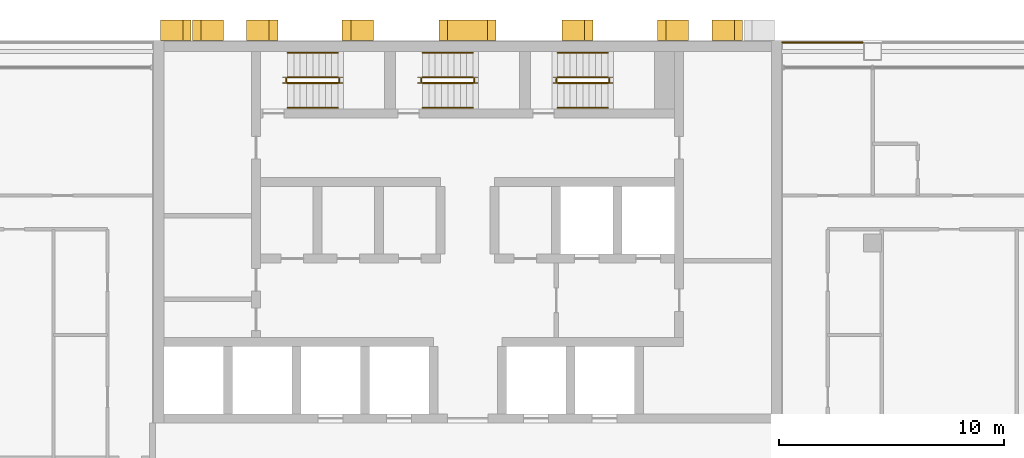
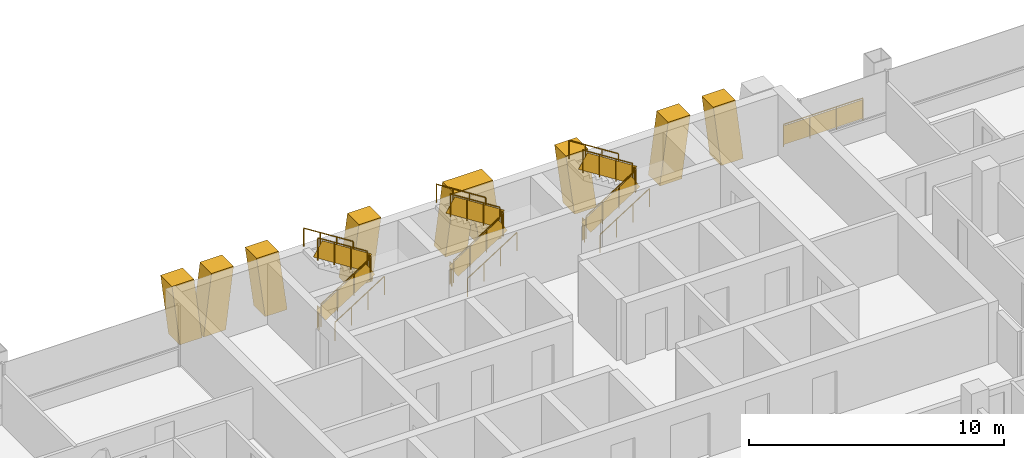
# One storey, part 15 of 16: 19 railings, 8 shading devices.
"""IFC4 building model written with IfcOpenShell, lengths in metres."""

from ifc_helpers import new_model, si_unit, direction, frame, origin, origin_2d, place, context, subcontext, project, spatial, polyline, rectangle, circle, outline, extrude, material, layer, layer_set, type_object, element, save


model = new_model("IFC4")

# Units and contexts
model_context = context("Model", 3, precision=1e-05, world=origin(), true_north=direction((0.0, 1.0)))
body_context = subcontext(model_context, "Body", "Model", "MODEL_VIEW")
ifc_project = project(units=[si_unit("LENGTHUNIT", "METRE"), si_unit("AREAUNIT", "SQUARE_METRE"), si_unit("VOLUMEUNIT", "CUBIC_METRE"), si_unit("PLANEANGLEUNIT", "RADIAN"), si_unit("MASSUNIT", "GRAM", prefix="KILO")], contexts=[model_context])

# Site, building, storey
site_placement = place(None, origin())
site = spatial("IfcSite", under=ifc_project, at=site_placement, CompositionType="ELEMENT")
building_placement = place(site_placement, origin())
building = spatial("IfcBuilding", under=site, at=building_placement, Name="Vidyagriha Tower", CompositionType="ELEMENT")
storey_placement = place(building_placement, frame((0.0, 0.0, 135.800048828125)))
storey = spatial("IfcBuildingStorey", under=building, at=storey_placement, Name="L35", CompositionType="ELEMENT", Elevation=135.800048828125)

# Shading devices
ifc_material_1 = material(Name="Precast concrete C40/50 with brick facing", Category="concrete")
ifc_layer_1 = layer(ifc_material_1, 1.0)
ifc_layer_set_1 = layer_set([ifc_layer_1], Name="Precast concrete C40/50 with brick facing")
shading_device_type_1 = type_object("IfcShadingDeviceType", Name="Brick-faced rear rib arm leaning 8 degrees", PredefinedType="USERDEFINED", material=ifc_layer_set_1)
shading_device_1_placement = place(storey_placement, frame((12.21435546875, 20.449951171875, 0.0), z_axis=(0.0, 0.0, 1.0), x_axis=(-1.0, 0.0, 0.0)))
element("IfcShadingDevice", 1, at=shading_device_1_placement, inside=storey, type_object=shading_device_type_1, Name="Rear rib arm L35 R08.1a", ObjectType="BLADE FIN", PredefinedType="USERDEFINED", context=body_context, shape_type="SweptSolid", body=[
    extrude(outline(polyline([(0.0, 0.0), (1.0, 0.0), (1.357177734375, 2.919921875), (0.357177734375, 2.919921875), (0.0, 0.0)])), frame((0.0, 0.449951171875, 0.0), z_axis=(0.0, -1.0, 0.0), x_axis=(1.0, 0.0, 0.0)), (0.0, 0.0, 1.0), 0.89990234375),
])
shading_device_2_placement = place(storey_placement, frame((5.5712890625, 20.449951171875, 0.0), z_axis=(0.0, 0.0, 1.0), x_axis=(-1.0, 0.0, 0.0)))
element("IfcShadingDevice", 2, at=shading_device_2_placement, inside=storey, type_object=shading_device_type_1, Name="Rear rib arm L35 R08.2a", ObjectType="BLADE FIN", PredefinedType="USERDEFINED", context=body_context, shape_type="SweptSolid", body=[
    extrude(outline(polyline([(0.0, 0.0), (1.0, 0.0), (1.3857421875, 2.919921875), (0.3857421875, 2.919921875), (0.0, 0.0)])), frame((0.0, 0.449951171875, 0.0), z_axis=(0.0, -1.0, 0.0), x_axis=(1.0, 0.0, 0.0)), (0.0, 0.0, 1.0), 0.89990234375),
])
shading_device_3_placement = place(storey_placement, frame((9.814208984375, 20.449951171875, 0.0), z_axis=(0.0, 0.0, 1.0), x_axis=(-1.0, 0.0, 0.0)))
element("IfcShadingDevice", 3, at=shading_device_3_placement, inside=storey, type_object=shading_device_type_1, Name="Rear rib arm L35 R08.2b", ObjectType="BLADE FIN", PredefinedType="USERDEFINED", context=body_context, shape_type="SweptSolid", body=[
    extrude(outline(polyline([(0.3857421875, 0.0), (1.3857421875, 0.0), (1.0, 2.919921875), (0.0, 2.919921875), (0.3857421875, 0.0)])), frame((0.0, 0.449951171875, 0.0), z_axis=(0.0, -1.0, 0.0), x_axis=(1.0, 0.0, 0.0)), (0.0, 0.0, 1.0), 0.89990234375),
])
shading_device_4_placement = place(storey_placement, frame((-8.4287109375, 20.449951171875, 0.0), z_axis=(0.0, 0.0, 1.0), x_axis=(-1.0, 0.0, 0.0)))
element("IfcShadingDevice", 4, at=shading_device_4_placement, inside=storey, type_object=shading_device_type_1, Name="Rear rib arm L35 R08.4a", ObjectType="BLADE FIN", PredefinedType="USERDEFINED", context=body_context, shape_type="SweptSolid", body=[
    extrude(outline(polyline([(0.0, 0.0), (1.0, 0.0), (1.3857421875, 2.919921875), (0.3857421875, 2.919921875), (0.0, 0.0)])), frame((0.0, 0.449951171875, 0.0), z_axis=(0.0, -1.0, 0.0), x_axis=(1.0, 0.0, 0.0)), (0.0, 0.0, 1.0), 0.89990234375),
])
shading_device_5_placement = place(storey_placement, frame((-4.185791015625, 20.449951171875, 0.0), z_axis=(0.0, 0.0, 1.0), x_axis=(-1.0, 0.0, 0.0)))
element("IfcShadingDevice", 5, at=shading_device_5_placement, inside=storey, type_object=shading_device_type_1, Name="Rear rib arm L35 R08.4b", ObjectType="BLADE FIN", PredefinedType="USERDEFINED", context=body_context, shape_type="SweptSolid", body=[
    extrude(outline(polyline([(0.3857421875, 0.0), (1.3857421875, 0.0), (1.0, 2.919921875), (0.0, 2.919921875), (0.3857421875, 0.0)])), frame((0.0, 0.449951171875, 0.0), z_axis=(0.0, -1.0, 0.0), x_axis=(1.0, 0.0, 0.0)), (0.0, 0.0, 1.0), 0.89990234375),
])
shading_device_6_placement = place(storey_placement, frame((-12.28564453125, 20.449951171875, 0.0), z_axis=(0.0, 0.0, 1.0), x_axis=(-1.0, 0.0, 0.0)))
element("IfcShadingDevice", 6, at=shading_device_6_placement, inside=storey, type_object=shading_device_type_1, Name="Rear rib arm L35 R08.5a", ObjectType="BLADE FIN", PredefinedType="USERDEFINED", context=body_context, shape_type="SweptSolid", body=[
    extrude(outline(polyline([(0.0, 0.0), (1.0, 0.0), (1.357177734375, 2.919921875), (0.357177734375, 2.919921875), (0.0, 0.0)])), frame((0.0, 0.449951171875, 0.0), z_axis=(0.0, -1.0, 0.0), x_axis=(1.0, 0.0, 0.0)), (0.0, 0.0, 1.0), 0.89990234375),
])
shading_device_7_placement = place(storey_placement, frame((-10.857177734375, 20.449951171875, 0.0), z_axis=(0.0, 0.0, 1.0), x_axis=(-1.0, 0.0, 0.0)))
element("IfcShadingDevice", 7, at=shading_device_7_placement, inside=storey, type_object=shading_device_type_1, Name="Rear rib arm L35 R08.5b", ObjectType="BLADE FIN", PredefinedType="USERDEFINED", context=body_context, shape_type="SweptSolid", body=[
    extrude(outline(polyline([(0.357177734375, 0.0), (1.357177734375, 0.0), (1.0, 2.919921875), (0.0, 2.919921875), (0.357177734375, 0.0)])), frame((0.0, 0.449951171875, 0.0), z_axis=(0.0, -1.0, 0.0), x_axis=(1.0, 0.0, 0.0)), (0.0, 0.0, 1.0), 0.89990234375),
])
ifc_material_2 = material(Name="Precast concrete C40/50 with brick facing", Category="concrete")
ifc_layer_2 = layer(ifc_material_2, 1.0)
ifc_layer_set_2 = layer_set([ifc_layer_2], Name="Precast concrete C40/50 with brick facing")
shading_device_type_2 = type_object("IfcShadingDeviceType", Name="Brick-faced rear rib forking 8 degrees", PredefinedType="USERDEFINED", material=ifc_layer_set_2)
shading_device_8_placement = place(storey_placement, frame((1.271484375, 20.449951171875, 0.0), z_axis=(0.0, 0.0, 1.0), x_axis=(-1.0, 0.0, 0.0)))
element("IfcShadingDevice", 8, at=shading_device_8_placement, inside=storey, type_object=shading_device_type_2, Name="Rear rib fork L35 R08.3a", ObjectType="BLADE FIN", PredefinedType="USERDEFINED", context=body_context, shape_type="SweptSolid", body=[
    extrude(outline(polyline([(1.0, 0.0), (1.271484375, 2.0546875), (1.542724609375, 0.0), (2.542724609375, 0.0), (2.156982421875, 2.919921875), (0.3857421875, 2.919921875), (0.0, 0.0), (1.0, 0.0)])), frame((0.0, 0.449951171875, 0.0), z_axis=(0.0, -1.0, 0.0), x_axis=(1.0, 0.0, 0.0)), (0.0, 0.0, 1.0), 0.89990234375),
])

# Railings
ifc_material_3 = material(Name="Steel ASTM A500 Grade C black painted", Category="steel")
railing_type_1 = type_object("IfcRailingType", Name="Gallery guard 1100", PredefinedType="GUARDRAIL", material=ifc_material_3)
railing_1_placement = place(storey_placement, frame((13.97998046875, 19.89990234375, 0.0)))
element("IfcRailing", 9, at=railing_1_placement, inside=storey, type_object=railing_type_1, Name="Gallery guard L35 9", PredefinedType="GUARDRAIL", context=body_context, shape_type="SweptSolid", body=[
    extrude(circle(Radius=0.02490234375, at=origin_2d()), frame((0.0, 0.0, 1.0751953125), z_axis=(1.0, 0.0, 0.0), x_axis=(0.0, 1.0, 0.0)), (0.0, 0.0, 1.0), 3.590087890625),
    extrude(circle(Radius=0.02001953125, at=origin_2d()), origin(), (0.0, 0.0, 1.0), 1.050048828125),
    extrude(circle(Radius=0.02001953125, at=origin_2d()), frame((1.19677734375, 0.0, 0.0)), (0.0, 0.0, 1.0), 1.050048828125),
    extrude(circle(Radius=0.02001953125, at=origin_2d()), frame((2.393310546875, 0.0, 0.0)), (0.0, 0.0, 1.0), 1.050048828125),
    extrude(circle(Radius=0.02001953125, at=origin_2d()), frame((3.590087890625, 0.0, 0.0)), (0.0, 0.0, 1.0), 1.050048828125),
    extrude(rectangle(XDim=0.010009765625, YDim=0.900146484375, at=origin_2d()), frame((0.0, 0.0, 0.550048828125), z_axis=(1.0, 0.0, 0.0), x_axis=(0.0, 1.0, 0.0)), (0.0, 0.0, 1.0), 3.590087890625),
])
ifc_material_4 = material(Name="Steel ASTM A500 Grade C", Category="steel")
railing_type_2 = type_object("IfcRailingType", Name="Stair guard 1100 mm, steel balustrade", PredefinedType="GUARDRAIL", material=ifc_material_4)
railing_2_placement = place(storey_placement, frame((-8.0, 18.10009765625, 0.177734375)))
element("IfcRailing", 10, at=railing_2_placement, inside=storey, type_object=railing_type_2, Name="L35 ST1 stair guard 1", PredefinedType="GUARDRAIL", context=body_context, shape_type="SweptSolid", body=[
    extrude(circle(Radius=0.02392578125, at=origin_2d()), frame((0.0, 0.0, 1.076171875), z_axis=(0.8442293374, 0.0, 0.53598211339), x_axis=(0.0, 1.0, 0.0)), (0.0, 0.0, 1.0), 2.6533203125),
    extrude(circle(Radius=0.02099609375, at=origin_2d()), origin(), (0.0, 0.0, 1.0), 1.052001953125),
    extrude(circle(Radius=0.02099609375, at=origin_2d()), frame((0.74658203125, 0.0, 0.47412109375)), (0.0, 0.0, 1.0), 1.052001953125),
    extrude(circle(Radius=0.02099609375, at=origin_2d()), frame((1.493408203125, 0.0, 0.947998046875)), (0.0, 0.0, 1.0), 1.052001953125),
    extrude(circle(Radius=0.02099609375, at=origin_2d()), frame((2.239990234375, 0.0, 1.422119140625)), (0.0, 0.0, 1.0), 1.052001953125),
    extrude(rectangle(XDim=0.010009765625, YDim=0.761474609375, at=origin_2d()), frame((0.0, 0.0, 0.551025390625), z_axis=(0.8442293374, 0.0, 0.53598211339), x_axis=(0.0, 1.0, 0.0)), (0.0, 0.0, 1.0), 2.6533203125),
])
railing_3_placement = place(storey_placement, frame((-5.7099609375, 18.14990234375, 1.599853515625)))
element("IfcRailing", 11, at=railing_3_placement, inside=storey, type_object=railing_type_2, Name="L35 ST1 stair guard 2", PredefinedType="GUARDRAIL", context=body_context, shape_type="SweptSolid", body=[
    extrude(circle(Radius=0.02392578125, at=origin_2d()), frame((0.0, 0.0, 1.076171875), z_axis=(0.0, 1.0, 0.0), x_axis=(-1.0, 0.0, 0.0)), (0.0, 0.0, 1.0), 0.150146484375),
    extrude(circle(Radius=0.02099609375, at=origin_2d()), origin(), (0.0, 0.0, 1.0), 1.052001953125),
    extrude(circle(Radius=0.02099609375, at=origin_2d()), frame((0.0, 0.150146484375, 0.0)), (0.0, 0.0, 1.0), 1.052001953125),
    extrude(rectangle(XDim=0.010009765625, YDim=0.902099609375, at=origin_2d()), frame((0.0, 0.0, 0.551025390625), z_axis=(0.0, 1.0, 0.0), x_axis=(-1.0, 0.0, 0.0)), (0.0, 0.0, 1.0), 0.150146484375),
])
railing_4_placement = place(storey_placement, frame((-5.760009765625, 18.35009765625, 1.77783203125)))
element("IfcRailing", 12, at=railing_4_placement, inside=storey, type_object=railing_type_2, Name="L35 ST1 stair guard 3", PredefinedType="GUARDRAIL", context=body_context, shape_type="SweptSolid", body=[
    extrude(circle(Radius=0.02392578125, at=origin_2d()), frame((0.0, 0.0, 1.076171875), z_axis=(-0.8442293374, 0.0, 0.53598211339), x_axis=(0.0, -1.0, 0.0)), (0.0, 0.0, 1.0), 2.6533203125),
    extrude(circle(Radius=0.02099609375, at=origin_2d()), origin(), (0.0, 0.0, 1.0), 1.052001953125),
    extrude(circle(Radius=0.02099609375, at=origin_2d()), frame((-0.74658203125, 0.0, 0.47412109375)), (0.0, 0.0, 1.0), 1.052001953125),
    extrude(circle(Radius=0.02099609375, at=origin_2d()), frame((-1.493408203125, 0.0, 0.947998046875)), (0.0, 0.0, 1.0), 1.052001953125),
    extrude(circle(Radius=0.02099609375, at=origin_2d()), frame((-2.239990234375, 0.0, 1.422119140625)), (0.0, 0.0, 1.0), 1.052001953125),
    extrude(rectangle(XDim=0.010009765625, YDim=0.761474609375, at=origin_2d()), frame((0.0, 0.0, 0.551025390625), z_axis=(-0.8442293374, 0.0, 0.53598211339), x_axis=(0.0, -1.0, 0.0)), (0.0, 0.0, 1.0), 2.6533203125),
])
railing_5_placement = place(storey_placement, frame((-8.050048828125, 18.14990234375, 0.0)))
element("IfcRailing", 13, at=railing_5_placement, inside=storey, type_object=railing_type_2, Name="L35 ST1 stair guard 4", PredefinedType="GUARDRAIL", context=body_context, shape_type="SweptSolid", body=[
    extrude(circle(Radius=0.02392578125, at=origin_2d()), frame((0.0, 0.0, 1.076171875), z_axis=(0.0, 1.0, 0.0), x_axis=(-1.0, 0.0, 0.0)), (0.0, 0.0, 1.0), 0.150146484375),
    extrude(circle(Radius=0.02099609375, at=origin_2d()), origin(), (0.0, 0.0, 1.0), 1.052001953125),
    extrude(circle(Radius=0.02099609375, at=origin_2d()), frame((0.0, 0.150146484375, 0.0)), (0.0, 0.0, 1.0), 1.052001953125),
    extrude(rectangle(XDim=0.010009765625, YDim=0.902099609375, at=origin_2d()), frame((0.0, 0.0, 0.551025390625), z_axis=(0.0, 1.0, 0.0), x_axis=(-1.0, 0.0, 0.0)), (0.0, 0.0, 1.0), 0.150146484375),
])
railing_6_placement = place(storey_placement, frame((-2.0, 18.10009765625, 0.177734375)))
element("IfcRailing", 14, at=railing_6_placement, inside=storey, type_object=railing_type_2, Name="L35 ST2 stair guard 1", PredefinedType="GUARDRAIL", context=body_context, shape_type="SweptSolid", body=[
    extrude(circle(Radius=0.02392578125, at=origin_2d()), frame((0.0, 0.0, 1.076171875), z_axis=(0.8442293374, 0.0, 0.53598211339), x_axis=(0.0, 1.0, 0.0)), (0.0, 0.0, 1.0), 2.6533203125),
    extrude(circle(Radius=0.02099609375, at=origin_2d()), origin(), (0.0, 0.0, 1.0), 1.052001953125),
    extrude(circle(Radius=0.02099609375, at=origin_2d()), frame((0.74658203125, 0.0, 0.47412109375)), (0.0, 0.0, 1.0), 1.052001953125),
    extrude(circle(Radius=0.02099609375, at=origin_2d()), frame((1.493408203125, 0.0, 0.947998046875)), (0.0, 0.0, 1.0), 1.052001953125),
    extrude(circle(Radius=0.02099609375, at=origin_2d()), frame((2.239990234375, 0.0, 1.422119140625)), (0.0, 0.0, 1.0), 1.052001953125),
    extrude(rectangle(XDim=0.010009765625, YDim=0.761474609375, at=origin_2d()), frame((0.0, 0.0, 0.551025390625), z_axis=(0.8442293374, 0.0, 0.53598211339), x_axis=(0.0, 1.0, 0.0)), (0.0, 0.0, 1.0), 2.6533203125),
])
railing_7_placement = place(storey_placement, frame((0.2900390625, 18.14990234375, 1.599853515625)))
element("IfcRailing", 15, at=railing_7_placement, inside=storey, type_object=railing_type_2, Name="L35 ST2 stair guard 2", PredefinedType="GUARDRAIL", context=body_context, shape_type="SweptSolid", body=[
    extrude(circle(Radius=0.02392578125, at=origin_2d()), frame((0.0, 0.0, 1.076171875), z_axis=(0.0, 1.0, 0.0), x_axis=(-1.0, 0.0, 0.0)), (0.0, 0.0, 1.0), 0.150146484375),
    extrude(circle(Radius=0.02099609375, at=origin_2d()), origin(), (0.0, 0.0, 1.0), 1.052001953125),
    extrude(circle(Radius=0.02099609375, at=origin_2d()), frame((0.0, 0.150146484375, 0.0)), (0.0, 0.0, 1.0), 1.052001953125),
    extrude(rectangle(XDim=0.010009765625, YDim=0.902099609375, at=origin_2d()), frame((0.0, 0.0, 0.551025390625), z_axis=(0.0, 1.0, 0.0), x_axis=(-1.0, 0.0, 0.0)), (0.0, 0.0, 1.0), 0.150146484375),
])
railing_8_placement = place(storey_placement, frame((0.239990234375, 18.35009765625, 1.77783203125)))
element("IfcRailing", 16, at=railing_8_placement, inside=storey, type_object=railing_type_2, Name="L35 ST2 stair guard 3", PredefinedType="GUARDRAIL", context=body_context, shape_type="SweptSolid", body=[
    extrude(circle(Radius=0.02392578125, at=origin_2d()), frame((0.0, 0.0, 1.076171875), z_axis=(-0.8442293374, 0.0, 0.53598211339), x_axis=(0.0, -1.0, 0.0)), (0.0, 0.0, 1.0), 2.6533203125),
    extrude(circle(Radius=0.02099609375, at=origin_2d()), origin(), (0.0, 0.0, 1.0), 1.052001953125),
    extrude(circle(Radius=0.02099609375, at=origin_2d()), frame((-0.74658203125, 0.0, 0.47412109375)), (0.0, 0.0, 1.0), 1.052001953125),
    extrude(circle(Radius=0.02099609375, at=origin_2d()), frame((-1.493408203125, 0.0, 0.947998046875)), (0.0, 0.0, 1.0), 1.052001953125),
    extrude(circle(Radius=0.02099609375, at=origin_2d()), frame((-2.239990234375, 0.0, 1.422119140625)), (0.0, 0.0, 1.0), 1.052001953125),
    extrude(rectangle(XDim=0.010009765625, YDim=0.761474609375, at=origin_2d()), frame((0.0, 0.0, 0.551025390625), z_axis=(-0.8442293374, 0.0, 0.53598211339), x_axis=(0.0, -1.0, 0.0)), (0.0, 0.0, 1.0), 2.6533203125),
])
railing_9_placement = place(storey_placement, frame((-2.050048828125, 18.14990234375, 0.0)))
element("IfcRailing", 17, at=railing_9_placement, inside=storey, type_object=railing_type_2, Name="L35 ST2 stair guard 4", PredefinedType="GUARDRAIL", context=body_context, shape_type="SweptSolid", body=[
    extrude(circle(Radius=0.02392578125, at=origin_2d()), frame((0.0, 0.0, 1.076171875), z_axis=(0.0, 1.0, 0.0), x_axis=(-1.0, 0.0, 0.0)), (0.0, 0.0, 1.0), 0.150146484375),
    extrude(circle(Radius=0.02099609375, at=origin_2d()), origin(), (0.0, 0.0, 1.0), 1.052001953125),
    extrude(circle(Radius=0.02099609375, at=origin_2d()), frame((0.0, 0.150146484375, 0.0)), (0.0, 0.0, 1.0), 1.052001953125),
    extrude(rectangle(XDim=0.010009765625, YDim=0.902099609375, at=origin_2d()), frame((0.0, 0.0, 0.551025390625), z_axis=(0.0, 1.0, 0.0), x_axis=(-1.0, 0.0, 0.0)), (0.0, 0.0, 1.0), 0.150146484375),
])
railing_10_placement = place(storey_placement, frame((4.0, 18.10009765625, 0.177734375)))
element("IfcRailing", 18, at=railing_10_placement, inside=storey, type_object=railing_type_2, Name="L35 ST3 stair guard 1", PredefinedType="GUARDRAIL", context=body_context, shape_type="SweptSolid", body=[
    extrude(circle(Radius=0.02392578125, at=origin_2d()), frame((0.0, 0.0, 1.076171875), z_axis=(0.8442293374, 0.0, 0.53598211339), x_axis=(0.0, 1.0, 0.0)), (0.0, 0.0, 1.0), 2.6533203125),
    extrude(circle(Radius=0.02099609375, at=origin_2d()), origin(), (0.0, 0.0, 1.0), 1.052001953125),
    extrude(circle(Radius=0.02099609375, at=origin_2d()), frame((0.74658203125, 0.0, 0.47412109375)), (0.0, 0.0, 1.0), 1.052001953125),
    extrude(circle(Radius=0.02099609375, at=origin_2d()), frame((1.493408203125, 0.0, 0.947998046875)), (0.0, 0.0, 1.0), 1.052001953125),
    extrude(circle(Radius=0.02099609375, at=origin_2d()), frame((2.239990234375, 0.0, 1.422119140625)), (0.0, 0.0, 1.0), 1.052001953125),
    extrude(rectangle(XDim=0.010009765625, YDim=0.761474609375, at=origin_2d()), frame((0.0, 0.0, 0.551025390625), z_axis=(0.8442293374, 0.0, 0.53598211339), x_axis=(0.0, 1.0, 0.0)), (0.0, 0.0, 1.0), 2.6533203125),
])
railing_11_placement = place(storey_placement, frame((6.2900390625, 18.14990234375, 1.599853515625)))
element("IfcRailing", 19, at=railing_11_placement, inside=storey, type_object=railing_type_2, Name="L35 ST3 stair guard 2", PredefinedType="GUARDRAIL", context=body_context, shape_type="SweptSolid", body=[
    extrude(circle(Radius=0.02392578125, at=origin_2d()), frame((0.0, 0.0, 1.076171875), z_axis=(0.0, 1.0, 0.0), x_axis=(-1.0, 0.0, 0.0)), (0.0, 0.0, 1.0), 0.150146484375),
    extrude(circle(Radius=0.02099609375, at=origin_2d()), origin(), (0.0, 0.0, 1.0), 1.052001953125),
    extrude(circle(Radius=0.02099609375, at=origin_2d()), frame((0.0, 0.150146484375, 0.0)), (0.0, 0.0, 1.0), 1.052001953125),
    extrude(rectangle(XDim=0.010009765625, YDim=0.902099609375, at=origin_2d()), frame((0.0, 0.0, 0.551025390625), z_axis=(0.0, 1.0, 0.0), x_axis=(-1.0, 0.0, 0.0)), (0.0, 0.0, 1.0), 0.150146484375),
])
railing_12_placement = place(storey_placement, frame((6.239990234375, 18.35009765625, 1.77783203125)))
element("IfcRailing", 20, at=railing_12_placement, inside=storey, type_object=railing_type_2, Name="L35 ST3 stair guard 3", PredefinedType="GUARDRAIL", context=body_context, shape_type="SweptSolid", body=[
    extrude(circle(Radius=0.02392578125, at=origin_2d()), frame((0.0, 0.0, 1.076171875), z_axis=(-0.8442293374, 0.0, 0.53598211339), x_axis=(0.0, -1.0, 0.0)), (0.0, 0.0, 1.0), 2.6533203125),
    extrude(circle(Radius=0.02099609375, at=origin_2d()), origin(), (0.0, 0.0, 1.0), 1.052001953125),
    extrude(circle(Radius=0.02099609375, at=origin_2d()), frame((-0.74658203125, 0.0, 0.47412109375)), (0.0, 0.0, 1.0), 1.052001953125),
    extrude(circle(Radius=0.02099609375, at=origin_2d()), frame((-1.493408203125, 0.0, 0.947998046875)), (0.0, 0.0, 1.0), 1.052001953125),
    extrude(circle(Radius=0.02099609375, at=origin_2d()), frame((-2.239990234375, 0.0, 1.422119140625)), (0.0, 0.0, 1.0), 1.052001953125),
    extrude(rectangle(XDim=0.010009765625, YDim=0.761474609375, at=origin_2d()), frame((0.0, 0.0, 0.551025390625), z_axis=(-0.8442293374, 0.0, 0.53598211339), x_axis=(0.0, -1.0, 0.0)), (0.0, 0.0, 1.0), 2.6533203125),
])
railing_13_placement = place(storey_placement, frame((3.949951171875, 18.14990234375, 0.0)))
element("IfcRailing", 21, at=railing_13_placement, inside=storey, type_object=railing_type_2, Name="L35 ST3 stair guard 4", PredefinedType="GUARDRAIL", context=body_context, shape_type="SweptSolid", body=[
    extrude(circle(Radius=0.02392578125, at=origin_2d()), frame((0.0, 0.0, 1.076171875), z_axis=(0.0, 1.0, 0.0), x_axis=(-1.0, 0.0, 0.0)), (0.0, 0.0, 1.0), 0.150146484375),
    extrude(circle(Radius=0.02099609375, at=origin_2d()), origin(), (0.0, 0.0, 1.0), 1.052001953125),
    extrude(circle(Radius=0.02099609375, at=origin_2d()), frame((0.0, 0.150146484375, 0.0)), (0.0, 0.0, 1.0), 1.052001953125),
    extrude(rectangle(XDim=0.010009765625, YDim=0.902099609375, at=origin_2d()), frame((0.0, 0.0, 0.551025390625), z_axis=(0.0, 1.0, 0.0), x_axis=(-1.0, 0.0, 0.0)), (0.0, 0.0, 1.0), 0.150146484375),
])
ifc_material_5 = material(Name="Steel ASTM A500 Grade C", Category="steel")
railing_type_3 = type_object("IfcRailingType", Name="Stair handrail 900 mm, steel", PredefinedType="HANDRAIL", material=ifc_material_5)
railing_14_placement = place(storey_placement, frame((-8.0, 17.0, 0.177734375)))
element("IfcRailing", 22, at=railing_14_placement, inside=storey, type_object=railing_type_3, Name="L35 ST1 stair handrail 1", PredefinedType="HANDRAIL", context=body_context, shape_type="SweptSolid", body=[
    extrude(circle(Radius=0.02392578125, at=origin_2d()), frame((0.0, 0.0, 0.8759765625), z_axis=(0.8442293374, 0.0, 0.53598211339), x_axis=(0.0, 1.0, 0.0)), (0.0, 0.0, 1.0), 2.6533203125),
    extrude(circle(Radius=0.02099609375, at=origin_2d()), origin(), (0.0, 0.0, 1.0), 0.851806640625),
    extrude(circle(Radius=0.02099609375, at=origin_2d()), frame((0.74658203125, 0.0, 0.47412109375)), (0.0, 0.0, 1.0), 0.851806640625),
    extrude(circle(Radius=0.02099609375, at=origin_2d()), frame((1.493408203125, 0.0, 0.947998046875)), (0.0, 0.0, 1.0), 0.851806640625),
    extrude(circle(Radius=0.02099609375, at=origin_2d()), frame((2.239990234375, 0.0, 1.422119140625)), (0.0, 0.0, 1.0), 0.851806640625),
])
railing_15_placement = place(storey_placement, frame((-5.760009765625, 19.449951171875, 1.77783203125)))
element("IfcRailing", 23, at=railing_15_placement, inside=storey, type_object=railing_type_3, Name="L35 ST1 stair handrail 2", PredefinedType="HANDRAIL", context=body_context, shape_type="SweptSolid", body=[
    extrude(circle(Radius=0.02392578125, at=origin_2d()), frame((0.0, 0.0, 0.8759765625), z_axis=(-0.8442293374, 0.0, 0.53598211339), x_axis=(0.0, -1.0, 0.0)), (0.0, 0.0, 1.0), 2.6533203125),
    extrude(circle(Radius=0.02099609375, at=origin_2d()), origin(), (0.0, 0.0, 1.0), 0.851806640625),
    extrude(circle(Radius=0.02099609375, at=origin_2d()), frame((-0.74658203125, 0.0, 0.47412109375)), (0.0, 0.0, 1.0), 0.851806640625),
    extrude(circle(Radius=0.02099609375, at=origin_2d()), frame((-1.493408203125, 0.0, 0.947998046875)), (0.0, 0.0, 1.0), 0.851806640625),
    extrude(circle(Radius=0.02099609375, at=origin_2d()), frame((-2.239990234375, 0.0, 1.422119140625)), (0.0, 0.0, 1.0), 0.851806640625),
])
railing_16_placement = place(storey_placement, frame((-2.0, 17.0, 0.177734375)))
element("IfcRailing", 24, at=railing_16_placement, inside=storey, type_object=railing_type_3, Name="L35 ST2 stair handrail 1", PredefinedType="HANDRAIL", context=body_context, shape_type="SweptSolid", body=[
    extrude(circle(Radius=0.02392578125, at=origin_2d()), frame((0.0, 0.0, 0.8759765625), z_axis=(0.8442293374, 0.0, 0.53598211339), x_axis=(0.0, 1.0, 0.0)), (0.0, 0.0, 1.0), 2.6533203125),
    extrude(circle(Radius=0.02099609375, at=origin_2d()), origin(), (0.0, 0.0, 1.0), 0.851806640625),
    extrude(circle(Radius=0.02099609375, at=origin_2d()), frame((0.74658203125, 0.0, 0.47412109375)), (0.0, 0.0, 1.0), 0.851806640625),
    extrude(circle(Radius=0.02099609375, at=origin_2d()), frame((1.493408203125, 0.0, 0.947998046875)), (0.0, 0.0, 1.0), 0.851806640625),
    extrude(circle(Radius=0.02099609375, at=origin_2d()), frame((2.239990234375, 0.0, 1.422119140625)), (0.0, 0.0, 1.0), 0.851806640625),
])
railing_17_placement = place(storey_placement, frame((0.239990234375, 19.449951171875, 1.77783203125)))
element("IfcRailing", 25, at=railing_17_placement, inside=storey, type_object=railing_type_3, Name="L35 ST2 stair handrail 2", PredefinedType="HANDRAIL", context=body_context, shape_type="SweptSolid", body=[
    extrude(circle(Radius=0.02392578125, at=origin_2d()), frame((0.0, 0.0, 0.8759765625), z_axis=(-0.8442293374, 0.0, 0.53598211339), x_axis=(0.0, -1.0, 0.0)), (0.0, 0.0, 1.0), 2.6533203125),
    extrude(circle(Radius=0.02099609375, at=origin_2d()), origin(), (0.0, 0.0, 1.0), 0.851806640625),
    extrude(circle(Radius=0.02099609375, at=origin_2d()), frame((-0.74658203125, 0.0, 0.47412109375)), (0.0, 0.0, 1.0), 0.851806640625),
    extrude(circle(Radius=0.02099609375, at=origin_2d()), frame((-1.493408203125, 0.0, 0.947998046875)), (0.0, 0.0, 1.0), 0.851806640625),
    extrude(circle(Radius=0.02099609375, at=origin_2d()), frame((-2.239990234375, 0.0, 1.422119140625)), (0.0, 0.0, 1.0), 0.851806640625),
])
railing_18_placement = place(storey_placement, frame((4.0, 17.0, 0.177734375)))
element("IfcRailing", 26, at=railing_18_placement, inside=storey, type_object=railing_type_3, Name="L35 ST3 stair handrail 1", PredefinedType="HANDRAIL", context=body_context, shape_type="SweptSolid", body=[
    extrude(circle(Radius=0.02392578125, at=origin_2d()), frame((0.0, 0.0, 0.8759765625), z_axis=(0.8442293374, 0.0, 0.53598211339), x_axis=(0.0, 1.0, 0.0)), (0.0, 0.0, 1.0), 2.6533203125),
    extrude(circle(Radius=0.02099609375, at=origin_2d()), origin(), (0.0, 0.0, 1.0), 0.851806640625),
    extrude(circle(Radius=0.02099609375, at=origin_2d()), frame((0.74658203125, 0.0, 0.47412109375)), (0.0, 0.0, 1.0), 0.851806640625),
    extrude(circle(Radius=0.02099609375, at=origin_2d()), frame((1.493408203125, 0.0, 0.947998046875)), (0.0, 0.0, 1.0), 0.851806640625),
    extrude(circle(Radius=0.02099609375, at=origin_2d()), frame((2.239990234375, 0.0, 1.422119140625)), (0.0, 0.0, 1.0), 0.851806640625),
])
railing_19_placement = place(storey_placement, frame((6.239990234375, 19.449951171875, 1.77783203125)))
element("IfcRailing", 27, at=railing_19_placement, inside=storey, type_object=railing_type_3, Name="L35 ST3 stair handrail 2", PredefinedType="HANDRAIL", context=body_context, shape_type="SweptSolid", body=[
    extrude(circle(Radius=0.02392578125, at=origin_2d()), frame((0.0, 0.0, 0.8759765625), z_axis=(-0.8442293374, 0.0, 0.53598211339), x_axis=(0.0, -1.0, 0.0)), (0.0, 0.0, 1.0), 2.6533203125),
    extrude(circle(Radius=0.02099609375, at=origin_2d()), origin(), (0.0, 0.0, 1.0), 0.851806640625),
    extrude(circle(Radius=0.02099609375, at=origin_2d()), frame((-0.74658203125, 0.0, 0.47412109375)), (0.0, 0.0, 1.0), 0.851806640625),
    extrude(circle(Radius=0.02099609375, at=origin_2d()), frame((-1.493408203125, 0.0, 0.947998046875)), (0.0, 0.0, 1.0), 0.851806640625),
    extrude(circle(Radius=0.02099609375, at=origin_2d()), frame((-2.239990234375, 0.0, 1.422119140625)), (0.0, 0.0, 1.0), 0.851806640625),
])

save(model, "model.ifc")
